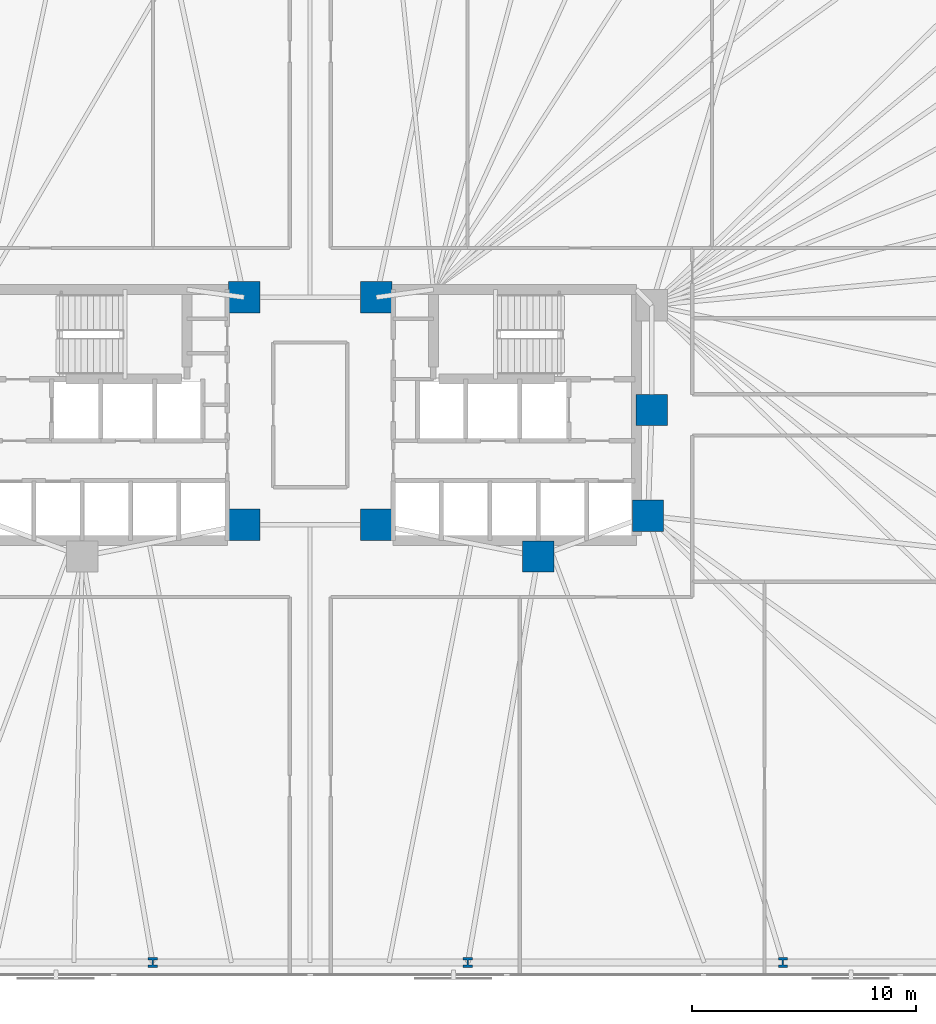
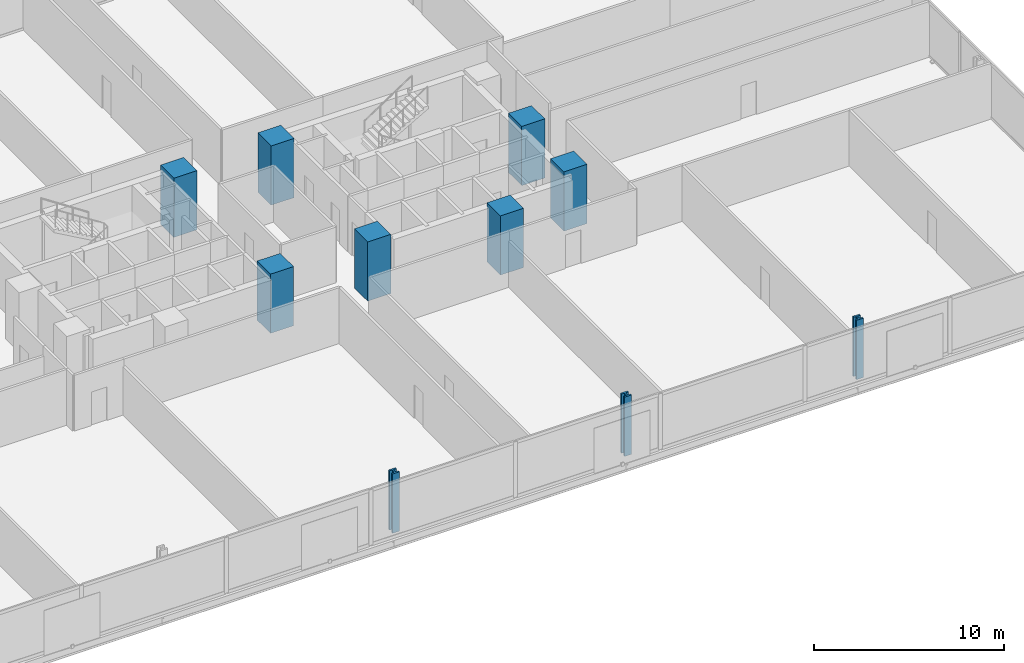
# One storey, part 3 of 17: 10 columns.
"""IFC4 building model written with IfcOpenShell, lengths in metres."""

from ifc_helpers import new_model, si_unit, direction, frame, origin, origin_2d, place, context, subcontext, project, spatial, rectangle, i_section, extrude, material, material_profile, profile_set, type_object, element, save


model = new_model("IFC4")

# Units and contexts
model_context = context("Model", 3, precision=1e-05, world=origin(), true_north=direction((0.0, 1.0)))
body_context = subcontext(model_context, "Body", "Model", "MODEL_VIEW")
ifc_project = project(units=[si_unit("LENGTHUNIT", "METRE"), si_unit("AREAUNIT", "SQUARE_METRE"), si_unit("VOLUMEUNIT", "CUBIC_METRE"), si_unit("PLANEANGLEUNIT", "RADIAN"), si_unit("MASSUNIT", "GRAM", prefix="KILO")], contexts=[model_context])

# Site, building, storey
site_placement = place(None, origin())
site = spatial("IfcSite", under=ifc_project, at=site_placement, CompositionType="ELEMENT")
building_placement = place(site_placement, origin())
building = spatial("IfcBuilding", under=site, at=building_placement, Name="Menara Jurai Vektor", CompositionType="ELEMENT")
storey_placement = place(building_placement, frame((0.0, 0.0, 52.199951171875)))
storey = spatial("IfcBuildingStorey", under=building, at=storey_placement, Name="L12", CompositionType="ELEMENT", Elevation=52.199951171875)

# Columns
ifc_material_1 = material(Name="Concrete C60/75", Category="concrete")
ifc_material_profile_1 = material_profile(ifc_material_1, rectangle(XDim=1.39990234375, YDim=1.39990234375, at=origin_2d()), Name="RC 1400x1400")
ifc_profile_set_1 = profile_set([ifc_material_profile_1], Name="Concrete C60/75")
column_type_1 = type_object("IfcColumnType", Name="STR-COL-RC1400", PredefinedType="COLUMN", material=ifc_profile_set_1)
for number, where, z_axis, x_axis, name in (
    (1, (-2.949951171875, -4.89990234375, 0.0), (0.0, 0.0, 1.0), (1.0, 0.0, 0.0), "Core Spine Column CW-SE L12"),
    (2, (-2.949951171875, 5.25, 0.0), (0.0, 0.0, 1.0), (1.0, 0.0, 0.0), "Core Spine Column CW-NE L12"),
    (3, (15.25, 0.219970703125, 0.0), (0.0, 0.0, 1.0), (1.0, 0.0, 0.0), "Core Spine Column CE-EM L12"),
    (4, (15.080078125, -4.5, 0.0), (0.0, 0.0, 1.0), (1.0, 0.0, 0.0), "Core Spine Column CE-SE L12"),
    (5, (10.179931640625, -6.320068359375, 0.0), (0.0, 0.0, 1.0), (1.0, 0.0, 0.0), "Core Spine Column CE-SM L12"),
    (6, (2.949951171875, -4.89990234375, 0.0), (0.0, 0.0, 1.0), (1.0, 0.0, 0.0), "Core Spine Column CE-SW L12"),
    (7, (2.949951171875, 5.25, 0.0), (0.0, 0.0, 1.0), (1.0, 0.0, 0.0), "Core Spine Column CE-NW L12"),
):
    element("IfcColumn", number, at=place(storey_placement, frame(where, z_axis=z_axis, x_axis=x_axis)), inside=storey, type_object=column_type_1, Name=name, PredefinedType="COLUMN", context=body_context, shape_type="SweptSolid", body=[
        extrude(rectangle(XDim=1.39990234375, YDim=1.39990234375, at=origin_2d()), origin(), (0.0, 0.0, 1.0), 3.800048828125),
    ])
ifc_material_2 = material(Name="Steel S460", Category="steel")
ifc_material_profile_2 = material_profile(ifc_material_2, i_section(OverallWidth=0.419921875, OverallDepth=0.430908203125, WebThickness=0.06494140625, FlangeThickness=0.10595703125, FilletRadius=0.014892578125, at=origin_2d()), Name="HD 400x900")
ifc_profile_set_2 = profile_set([ifc_material_profile_2], Name="Steel S460")
column_type_2 = type_object("IfcColumnType", Name="STR-EXO-BLK1", PredefinedType="COLUMN", material=ifc_profile_set_2)
for number, where, z_axis, x_axis, name in (
    (8, (-7.03564453125, -24.449951171875, 0.0), (0.0, 0.0, 1.0), (1.0, 0.0, 0.0), "Exoskeleton Column BLK1-S3 L12"),
    (9, (7.03564453125, -24.449951171875, 0.0), (0.0, 0.0, 1.0), (1.0, 0.0, 0.0), "Exoskeleton Column BLK1-S4 L12"),
    (10, (21.106689453125, -24.449951171875, 0.0), (0.0, 0.0, 1.0), (1.0, 0.0, 0.0), "Exoskeleton Column BLK1-S5 L12"),
):
    element("IfcColumn", number, at=place(storey_placement, frame(where, z_axis=z_axis, x_axis=x_axis)), inside=storey, type_object=column_type_2, Name=name, PredefinedType="COLUMN", context=body_context, shape_type="SweptSolid", body=[
        extrude(i_section(OverallWidth=0.419921875, OverallDepth=0.430908203125, WebThickness=0.06494140625, FlangeThickness=0.10595703125, FilletRadius=0.014892578125, at=origin_2d()), origin(), (0.0, 0.0, 1.0), 3.800048828125),
    ])

save(model, "model.ifc")
